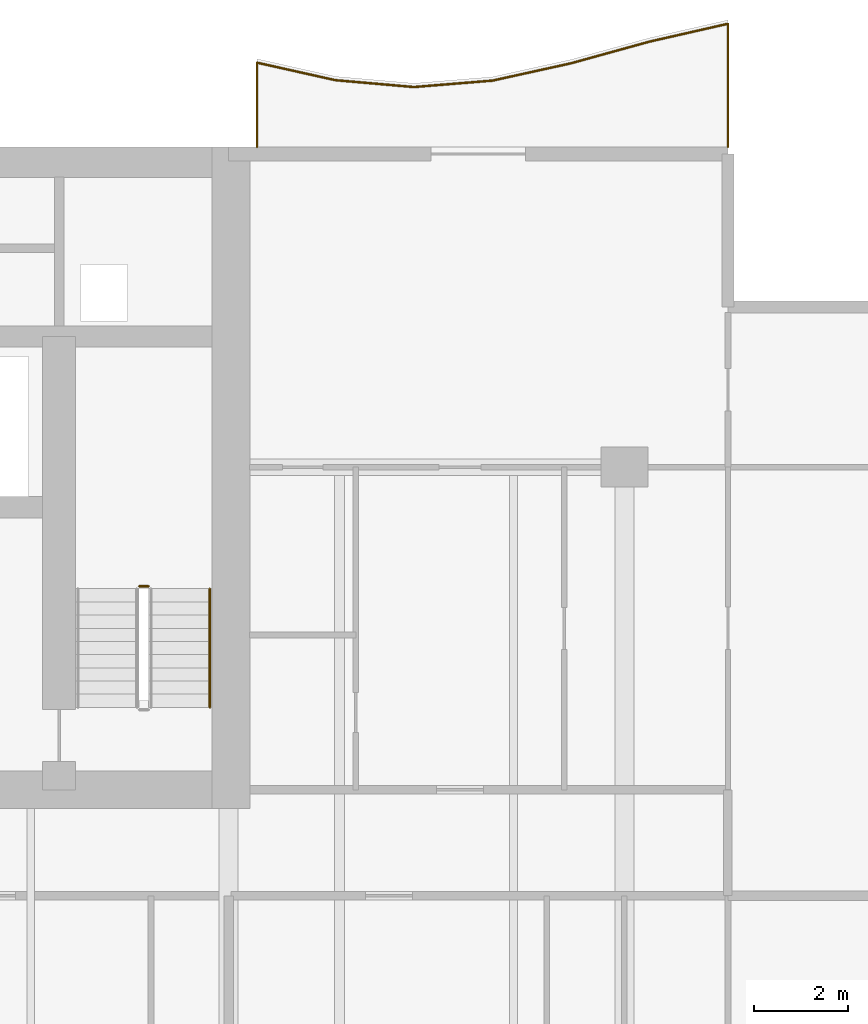
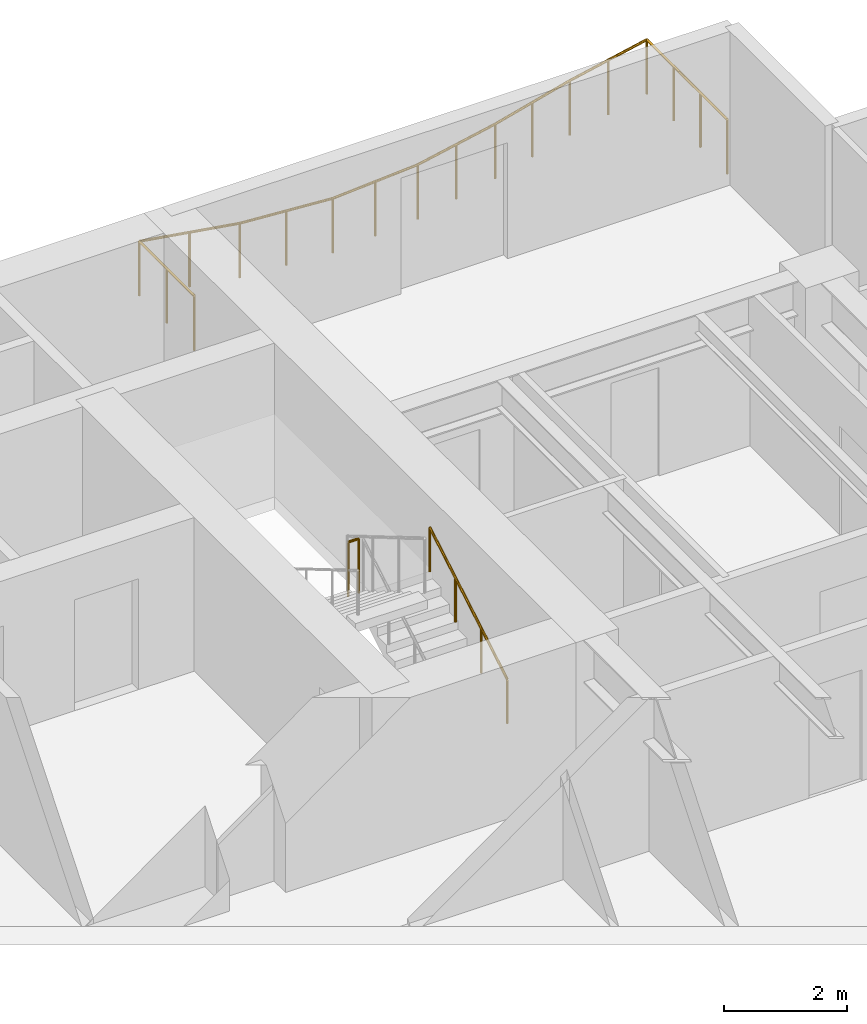
# One storey, part 17 of 18: 3 railings.
"""IFC4 building model written with IfcOpenShell, lengths in metres."""

from ifc_helpers import new_model, si_unit, direction, frame, origin, origin_2d, place, context, subcontext, project, spatial, circle, extrude, material, type_object, element, save


model = new_model("IFC4")

# Units and contexts
model_context = context("Model", 3, precision=1e-05, world=origin(), true_north=direction((0.0, 1.0)))
body_context = subcontext(model_context, "Body", "Model", "MODEL_VIEW")
ifc_project = project(units=[si_unit("LENGTHUNIT", "METRE"), si_unit("AREAUNIT", "SQUARE_METRE"), si_unit("VOLUMEUNIT", "CUBIC_METRE"), si_unit("PLANEANGLEUNIT", "RADIAN"), si_unit("MASSUNIT", "GRAM", prefix="KILO")], contexts=[model_context])

# Site, building, storey
site_placement = place(None, origin())
site = spatial("IfcSite", under=ifc_project, at=site_placement, CompositionType="ELEMENT")
building_placement = place(site_placement, origin())
building = spatial("IfcBuilding", under=site, at=building_placement, Name="Caelmar Bay Residences", CompositionType="ELEMENT")
storey_placement = place(building_placement, frame((0.0, 0.0, 125.699951171875)))
storey = spatial("IfcBuildingStorey", under=building, at=storey_placement, Name="L34", CompositionType="ELEMENT", Elevation=125.699951171875)

# Railings
ifc_material_1 = material(Name="Anodised bronze handrail with laminated hurricane glass infill", Category="glass")
railing_type_1 = type_object("IfcRailingType", Name="RL-BAL-1100", PredefinedType="BALUSTRADE", material=ifc_material_1)
railing_1_placement = place(storey_placement, frame((70.10009765625, 50.60009765625, 0.0)))
element("IfcRailing", 1, at=railing_1_placement, inside=storey, type_object=railing_type_1, Name="L34 north_east Balcony Balustrade", PredefinedType="BALUSTRADE", context=body_context, shape_type="SweptSolid", body=[
    extrude(circle(Radius=0.02392578125, at=origin_2d()), frame((0.0, 0.0, 1.076171875), z_axis=(0.0, 1.0, 0.0), x_axis=(-1.0, 0.0, 0.0)), (0.0, 0.0, 1.0), 2.61328125),
    extrude(circle(Radius=0.02392578125, at=origin_2d()), frame((0.0, 2.61328125, 1.076171875), z_axis=(-0.97505844271, -0.22194826717, 0.0), x_axis=(0.22194826717, -0.97505844271, 0.0)), (0.0, 0.0, 1.0), 1.70947265625),
    extrude(circle(Radius=0.02392578125, at=origin_2d()), frame((-1.666748046875, 2.23388671875, 1.076171875), z_axis=(-0.963967650546, -0.266019489326, 0.0), x_axis=(0.266019489326, -0.963967650546, 0.0)), (0.0, 0.0, 1.0), 1.72900390625),
    extrude(circle(Radius=0.02392578125, at=origin_2d()), frame((-3.33349609375, 1.77392578125, 1.076171875), z_axis=(-0.97654589597, -0.215309342724, 0.0), x_axis=(0.215309342724, -0.97654589597, 0.0)), (0.0, 0.0, 1.0), 1.70654296875),
    extrude(circle(Radius=0.02392578125, at=origin_2d()), frame((-5.0, 1.406494140625, 1.076171875), z_axis=(-0.996664532496, -0.081607656901, 0.0), x_axis=(0.081607656901, -0.996664532496, 0.0)), (0.0, 0.0, 1.0), 1.67236328125),
    extrude(circle(Radius=0.02392578125, at=origin_2d()), frame((-6.666748046875, 1.27001953125, 1.076171875), z_axis=(-0.99622359479, 0.08682481894, 0.0), x_axis=(-0.08682481894, -0.99622359479, 0.0)), (0.0, 0.0, 1.0), 1.673095703125),
    extrude(circle(Radius=0.02392578125, at=origin_2d()), frame((-8.33349609375, 1.415283203125, 1.076171875), z_axis=(-0.975879974699, 0.21830775291, 0.0), x_axis=(-0.21830775291, -0.975879974699, 0.0)), (0.0, 0.0, 1.0), 1.707763671875),
    extrude(circle(Radius=0.02392578125, at=origin_2d()), frame((-10.0, 1.7880859375, 1.076171875), z_axis=(0.0, -1.0, 0.0), x_axis=(1.0, 0.0, 0.0)), (0.0, 0.0, 1.0), 1.7880859375),
    extrude(circle(Radius=0.02099609375, at=origin_2d()), origin(), (0.0, 0.0, 1.0), 1.052001953125),
    extrude(circle(Radius=0.02099609375, at=origin_2d()), frame((0.0, 0.87109375, 0.0)), (0.0, 0.0, 1.0), 1.052001953125),
    extrude(circle(Radius=0.02099609375, at=origin_2d()), frame((0.0, 1.7421875, 0.0)), (0.0, 0.0, 1.0), 1.052001953125),
    extrude(circle(Radius=0.02099609375, at=origin_2d()), frame((0.0, 2.61328125, 0.0)), (0.0, 0.0, 1.0), 1.052001953125),
    extrude(circle(Radius=0.02099609375, at=origin_2d()), frame((-0.83349609375, 2.423583984375, 0.0)), (0.0, 0.0, 1.0), 1.052001953125),
    extrude(circle(Radius=0.02099609375, at=origin_2d()), frame((-1.666748046875, 2.23388671875, 0.0)), (0.0, 0.0, 1.0), 1.052001953125),
    extrude(circle(Radius=0.02099609375, at=origin_2d()), frame((-2.5, 2.00390625, 0.0)), (0.0, 0.0, 1.0), 1.052001953125),
    extrude(circle(Radius=0.02099609375, at=origin_2d()), frame((-3.33349609375, 1.77392578125, 0.0)), (0.0, 0.0, 1.0), 1.052001953125),
    extrude(circle(Radius=0.02099609375, at=origin_2d()), frame((-4.166748046875, 1.59033203125, 0.0)), (0.0, 0.0, 1.0), 1.052001953125),
    extrude(circle(Radius=0.02099609375, at=origin_2d()), frame((-5.0, 1.406494140625, 0.0)), (0.0, 0.0, 1.0), 1.052001953125),
    extrude(circle(Radius=0.02099609375, at=origin_2d()), frame((-5.83349609375, 1.33837890625, 0.0)), (0.0, 0.0, 1.0), 1.052001953125),
    extrude(circle(Radius=0.02099609375, at=origin_2d()), frame((-6.666748046875, 1.27001953125, 0.0)), (0.0, 0.0, 1.0), 1.052001953125),
    extrude(circle(Radius=0.02099609375, at=origin_2d()), frame((-7.5, 1.3427734375, 0.0)), (0.0, 0.0, 1.0), 1.052001953125),
    extrude(circle(Radius=0.02099609375, at=origin_2d()), frame((-8.33349609375, 1.415283203125, 0.0)), (0.0, 0.0, 1.0), 1.052001953125),
    extrude(circle(Radius=0.02099609375, at=origin_2d()), frame((-9.166748046875, 1.6015625, 0.0)), (0.0, 0.0, 1.0), 1.052001953125),
    extrude(circle(Radius=0.02099609375, at=origin_2d()), frame((-10.0, 1.7880859375, 0.0)), (0.0, 0.0, 1.0), 1.052001953125),
    extrude(circle(Radius=0.02099609375, at=origin_2d()), frame((-10.0, 0.89404296875, 0.0)), (0.0, 0.0, 1.0), 1.052001953125),
    extrude(circle(Radius=0.02099609375, at=origin_2d()), frame((-10.0, 0.0, 0.0)), (0.0, 0.0, 1.0), 1.052001953125),
])
ifc_material_2 = material(Name="Painted galvanized steel stair guard 1100 mm", Category="steel")
railing_type_2 = type_object("IfcRailingType", Name="RL-GRD-1100", PredefinedType="GUARDRAIL", material=ifc_material_2)
railing_2_placement = place(storey_placement, frame((57.800048828125, 41.27001953125, 1.650146484375)))
element("IfcRailing", 2, at=railing_2_placement, inside=storey, type_object=railing_type_2, Name="L34 ST2 stair guard 2", PredefinedType="GUARDRAIL", context=body_context, shape_type="SweptSolid", body=[
    extrude(circle(Radius=0.02392578125, at=origin_2d()), frame((0.0, 0.0, 1.076171875), z_axis=(-1.0, 0.0, 0.0), x_axis=(0.0, -1.0, 0.0)), (0.0, 0.0, 1.0), 0.199951171875),
    extrude(circle(Radius=0.02099609375, at=origin_2d()), origin(), (0.0, 0.0, 1.0), 1.052001953125),
    extrude(circle(Radius=0.02099609375, at=origin_2d()), frame((-0.199951171875, 0.0, 0.0)), (0.0, 0.0, 1.0), 1.052001953125),
])
ifc_material_3 = material(Name="Brushed bronze stainless-steel tubular handrail 900 mm", Category="steel")
railing_type_3 = type_object("IfcRailingType", Name="RL-HND-900", PredefinedType="HANDRAIL", material=ifc_material_3)
railing_3_placement = place(storey_placement, frame((59.10009765625, 38.699951171875, 0.1650390625)))
element("IfcRailing", 3, at=railing_3_placement, inside=storey, type_object=railing_type_3, Name="L34 ST2 stair handrail 1", PredefinedType="HANDRAIL", context=body_context, shape_type="SweptSolid", body=[
    extrude(circle(Radius=0.02392578125, at=origin_2d()), frame((0.0, 0.0, 0.8759765625), z_axis=(0.0, 0.86152411907, 0.507716645641), x_axis=(-1.0, 0.0, 0.0)), (0.0, 0.0, 1.0), 2.925048828125),
    extrude(circle(Radius=0.02099609375, at=origin_2d()), origin(), (0.0, 0.0, 1.0), 0.851806640625),
    extrude(circle(Radius=0.02099609375, at=origin_2d()), frame((0.0, 0.840087890625, 0.4951171875)), (0.0, 0.0, 1.0), 0.851806640625),
    extrude(circle(Radius=0.02099609375, at=origin_2d()), frame((0.0, 1.679931640625, 0.989990234375)), (0.0, 0.0, 1.0), 0.851806640625),
    extrude(circle(Radius=0.02099609375, at=origin_2d()), frame((0.0, 2.52001953125, 1.485107421875)), (0.0, 0.0, 1.0), 0.851806640625),
])

save(model, "model.ifc")
